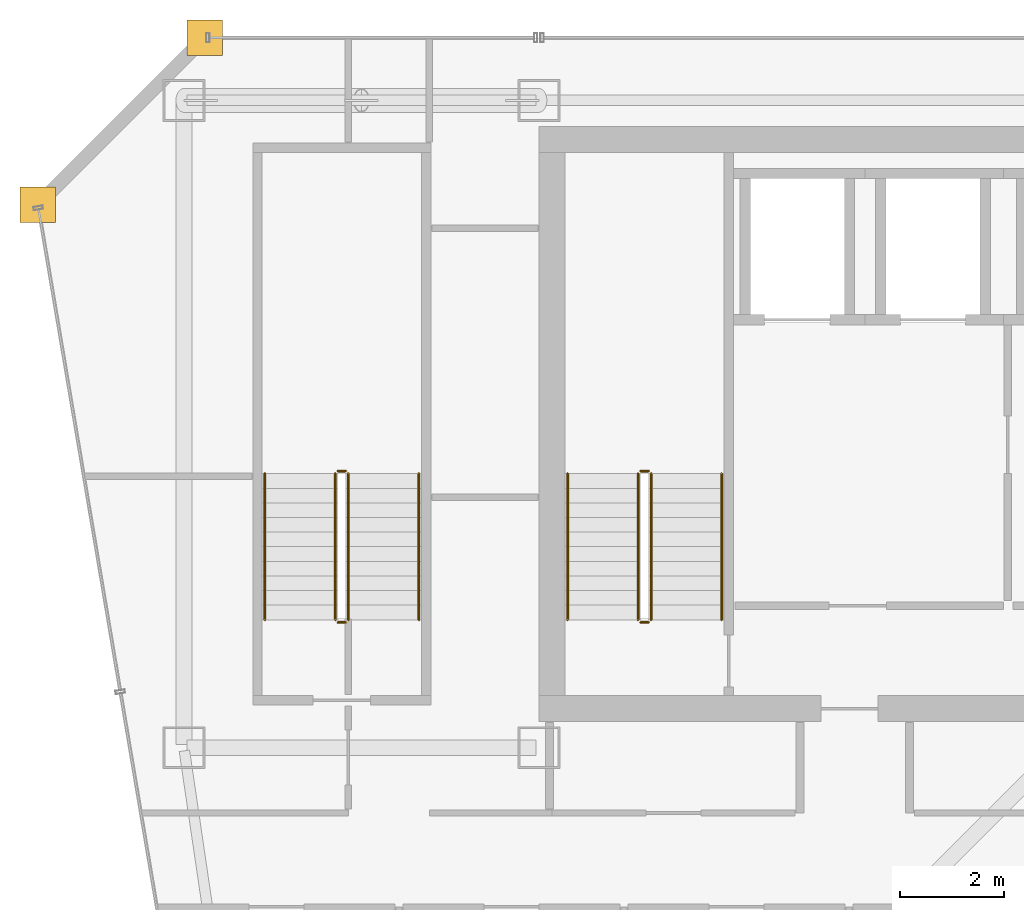
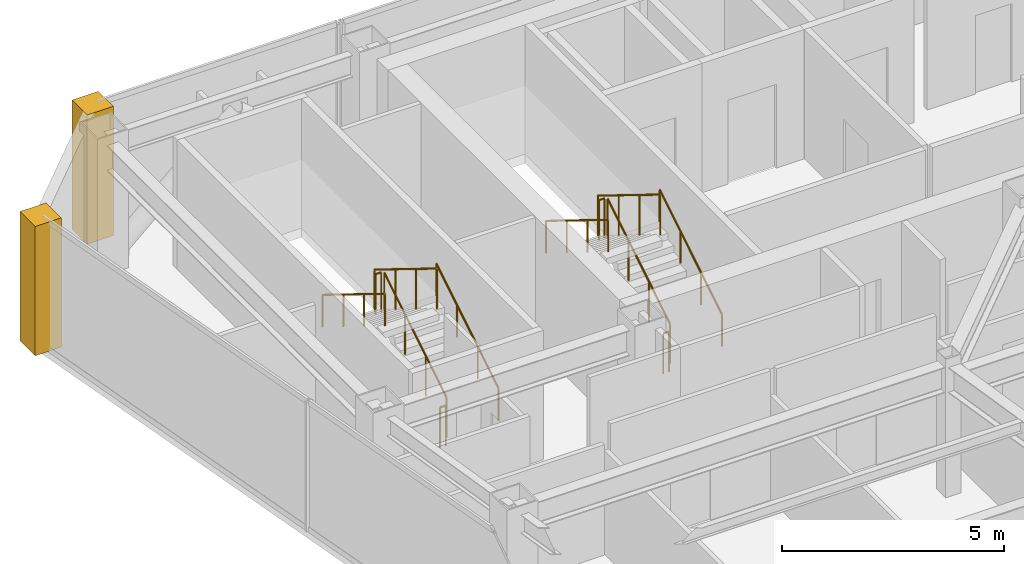
# One storey, part 34 of 35: 12 railings, 2 coverings.
"""IFC4 building model written with IfcOpenShell, lengths in metres."""

import ifcopenshell
import ifcopenshell.guid

model = None  # the IFC model being written
_history = None  # IfcOwnerHistory: only IFC2X3 demands one
_inside = {}  # id of a spatial element -> (the spatial element, [elements in it])
_under = {}  # id of a project, library or spatial element -> (it, [spatial elements below it])
_declared = {}  # id of a project -> (the project, [libraries it declares])
_typed = {}  # id of a type object -> (the type object, [elements of that type])
_made_of = {}  # id of a material, layer set ... -> (it, [elements and type objects made of it])


def new_model(schema):
    """Start an empty IFC model of exactly this schema.

    Asked for "IFC4X3", IfcOpenShell would pick the latest addendum, in which some entities
    have other attributes; the version numbers below select the first issue.
    IFC2X3 requires an IfcOwnerHistory on every rooted entity: one is made here for all.
    """
    global model, _history
    if schema == "IFC4X3":
        model = ifcopenshell.file(schema_version=(4, 3, 0, 0))
    else:
        model = ifcopenshell.file(schema=schema)
    _inside.clear()
    _under.clear()
    _declared.clear()
    _typed.clear()
    _made_of.clear()
    _history = None
    if model.schema == "IFC2X3":
        org = make("IfcOrganization", Name="unknown")
        user = make(
            "IfcPersonAndOrganization",
            ThePerson=make("IfcPerson", FamilyName="unknown"),
            TheOrganization=org,
        )
        app = make(
            "IfcApplication",
            ApplicationDeveloper=org,
            Version="unknown",
            ApplicationFullName="unknown",
            ApplicationIdentifier="unknown",
        )
        _history = make(
            "IfcOwnerHistory",
            OwningUser=user,
            OwningApplication=app,
            ChangeAction="ADDED",
            CreationDate=0,
        )
    return model


def make(cls, **values):
    """One entity of the class cls with the attributes given. An attribute that is None is left unset."""
    return model.create_entity(
        cls, **{name: value for name, value in values.items() if value is not None}
    )


def rooted(cls, **values):
    """An entity with a GlobalId (a new one), such as an element, a storey or a relation."""
    return make(cls, GlobalId=ifcopenshell.guid.new(), OwnerHistory=_history, **values)


def si_unit(unit_type, name, prefix=None):
    """IfcSIUnit, for example si_unit("LENGTHUNIT", "METRE", prefix="MILLI")."""
    return make("IfcSIUnit", UnitType=unit_type, Prefix=prefix, Name=name)


def assignment(units):
    """IfcUnitAssignment: the units of a project."""
    return None if units is None else make("IfcUnitAssignment", Units=units)


def point(xyz):
    """IfcCartesianPoint."""
    return None if xyz is None else make("IfcCartesianPoint", Coordinates=xyz)


def direction(xyz):
    """IfcDirection."""
    return None if xyz is None else make("IfcDirection", DirectionRatios=xyz)


def frame(location, z_axis=None, x_axis=None):
    """IfcAxis2Placement3D, a coordinate frame: its origin and axes. An axis left out is left unset."""
    return make(
        "IfcAxis2Placement3D",
        Location=point(location),
        Axis=direction(z_axis),
        RefDirection=direction(x_axis),
    )


def frame_2d(location, x_axis=None):
    """IfcAxis2Placement2D, a coordinate frame in the plane: its origin and x axis."""
    return make(
        "IfcAxis2Placement2D", Location=point(location), RefDirection=direction(x_axis)
    )


def origin():
    """The frame at (0, 0, 0) with its axes left unset."""
    return frame((0.0, 0.0, 0.0))


def origin_2d():
    """The frame at (0, 0) in the plane with its x axis left unset."""
    return frame_2d((0.0, 0.0))


def place(relative_to, where):
    """IfcLocalPlacement: puts the frame where relative to a parent placement (None: the world)."""
    return make(
        "IfcLocalPlacement", PlacementRelTo=relative_to, RelativePlacement=where
    )


def context(
    kind, dimensions, precision=None, world=None, true_north=None, identifier=None
):
    """IfcGeometricRepresentationContext, for example the 3D "Model" context."""
    return make(
        "IfcGeometricRepresentationContext",
        ContextIdentifier=identifier,
        ContextType=kind,
        CoordinateSpaceDimension=dimensions,
        Precision=precision,
        WorldCoordinateSystem=world,
        TrueNorth=true_north,
    )


def subcontext(parent, identifier, kind, view, scale=None):
    """IfcGeometricRepresentationSubContext, for example "Body" below "Model"."""
    return make(
        "IfcGeometricRepresentationSubContext",
        ContextIdentifier=identifier,
        ContextType=kind,
        ParentContext=parent,
        TargetScale=scale,
        TargetView=view,
    )


def project(units=None, contexts=None):
    """IfcProject with its units and contexts."""
    return rooted(
        "IfcProject",
        Name="project",
        RepresentationContexts=contexts,
        UnitsInContext=assignment(units),
    )


def spatial(cls, under=None, at=None, **own):
    """A site, building, storey or space (cls), placed at a placement, below another one or the project."""
    s = rooted(cls, ObjectPlacement=at, **own)
    if under is not None:
        _under.setdefault(under.id(), (under, []))[1].append(s)
    return s


def polyline(points):
    """IfcPolyline through the points."""
    return make("IfcPolyline", Points=[point(p) for p in points])


def profile(cls, at=None, kind="AREA", **sizes):
    """A parametric profile (cls). Its sizes go by their IFC names, for example OverallWidth=200.0."""
    return make(cls, ProfileType=kind, Position=at, **sizes)


def circle(**sizes):
    """IfcCircleProfileDef."""
    return profile("IfcCircleProfileDef", **sizes)


def outline(outer, holes=None, kind="AREA"):
    """IfcArbitraryClosedProfileDef: a profile drawn as a closed curve; with holes, ...WithVoids."""
    if holes is None:
        return make("IfcArbitraryClosedProfileDef", ProfileType=kind, OuterCurve=outer)
    return make(
        "IfcArbitraryProfileDefWithVoids",
        ProfileType=kind,
        OuterCurve=outer,
        InnerCurves=holes,
    )


def extrude(swept, where, along, depth):
    """IfcExtrudedAreaSolid: the profile swept, set in the frame where, extruded along a direction by depth."""
    return make(
        "IfcExtrudedAreaSolid",
        SweptArea=swept,
        Position=where,
        ExtrudedDirection=direction(along),
        Depth=depth,
    )


def shape(context_of_items, identifier, shape_type, items):
    """IfcShapeRepresentation: the items that make up one representation, for example the "Body"."""
    return make(
        "IfcShapeRepresentation",
        ContextOfItems=context_of_items,
        RepresentationIdentifier=identifier,
        RepresentationType=shape_type,
        Items=items,
    )


def material(Name=None, Category=None):
    """IfcMaterial."""
    return make("IfcMaterial", Name=Name, Category=Category)


def layer(
    of_material, thickness, ventilated=None, Name=None, Category=None, Priority=None
):
    """IfcMaterialLayer: one layer of a wall or slab, of a material (None: an air gap)."""
    return make(
        "IfcMaterialLayer",
        Material=of_material,
        LayerThickness=thickness,
        IsVentilated=ventilated,
        Name=Name,
        Category=Category,
        Priority=Priority,
    )


def layer_set(layers, Name=None):
    """IfcMaterialLayerSet."""
    return make("IfcMaterialLayerSet", MaterialLayers=layers, LayerSetName=Name)


def made_of(thing, what):
    """Note that an element or type object is made of a material, layer set ...; save() writes the relation."""
    if what is not None:
        _made_of.setdefault(what.id(), (what, []))[1].append(thing)
    return thing


def type_object(cls, material=None, **own):
    """A type object (cls), such as IfcWallType, which elements share."""
    return made_of(rooted(cls, **own), material)


def element(
    cls,
    number,
    at=None,
    inside=None,
    cuts=None,
    type_object=None,
    material=None,
    context=None,
    identifier="Body",
    shape_type=None,
    held_by="IfcProductDefinitionShape",
    body=None,
    shapes=None,
    **own,
):
    """One element of the class cls, such as IfcWall. Its Tag is "e" and its number.

    at: its placement. inside: the storey or other place that contains it. cuts: it is an
    opening in that element (IfcRelVoidsElement). A single representation is given by context,
    identifier, shape_type and body (its items); several are given by shapes. held_by: the class
    of the entity that holds the representations. save() writes the other relations.
    """
    e = rooted(cls, Tag="e%d" % number, ObjectPlacement=at, **own)
    if body is not None:
        shapes = [shape(context, identifier, shape_type, body)]
    if shapes is not None:
        e.Representation = make(held_by, Representations=shapes)
    if inside is not None:
        _inside.setdefault(inside.id(), (inside, []))[1].append(e)
    if cuts is not None:
        rooted(
            "IfcRelVoidsElement", RelatingBuildingElement=cuts, RelatedOpeningElement=e
        )
    if type_object is not None:
        _typed.setdefault(type_object.id(), (type_object, []))[1].append(e)
    return made_of(e, material)


def aggregate(whole, parts):
    """IfcRelAggregates: a whole, such as a stair, and the parts it consists of."""
    return rooted("IfcRelAggregates", RelatingObject=whole, RelatedObjects=parts)


def save(model, path):
    """Write the relations noted so far, then the file.

    IfcRelAggregates (storeys below a building ...), IfcRelContainedInSpatialStructure (elements
    in a storey), IfcRelDefinesByType, IfcRelAssociatesMaterial and IfcRelDeclares: one each for
    every whole, place, type object, material and project.
    """
    for whole, parts in _under.values():
        aggregate(whole, parts)
    for where, things in _inside.values():
        rooted(
            "IfcRelContainedInSpatialStructure",
            RelatedElements=things,
            RelatingStructure=where,
        )
    for kind, things in _typed.values():
        rooted("IfcRelDefinesByType", RelatedObjects=things, RelatingType=kind)
    for what, things in _made_of.values():
        rooted("IfcRelAssociatesMaterial", RelatedObjects=things, RelatingMaterial=what)
    for by, libraries in _declared.values():
        rooted("IfcRelDeclares", RelatingContext=by, RelatedDefinitions=libraries)
    model.write(path)


model = new_model("IFC4")

# Units and contexts
model_context = context("Model", 3, precision=1e-05, world=origin(), true_north=direction((0.0, 1.0)))
body_context = subcontext(model_context, "Body", "Model", "MODEL_VIEW")
ifc_project = project(units=[si_unit("LENGTHUNIT", "METRE"), si_unit("AREAUNIT", "SQUARE_METRE"), si_unit("VOLUMEUNIT", "CUBIC_METRE"), si_unit("PLANEANGLEUNIT", "RADIAN"), si_unit("MASSUNIT", "GRAM", prefix="KILO")], contexts=[model_context])

# Site, building, storey
site_placement = place(None, origin())
site = spatial("IfcSite", under=ifc_project, at=site_placement, CompositionType="ELEMENT")
building_placement = place(site_placement, origin())
building = spatial("IfcBuilding", under=site, at=building_placement, Name="Saevonmaru Cultural Tower", CompositionType="ELEMENT")
storey_placement = place(building_placement, frame((0.0, 0.0, 190.39990234375)))
storey = spatial("IfcBuildingStorey", under=building, at=storey_placement, Name="L43", CompositionType="ELEMENT", Elevation=190.39990234375)

# Coverings
ifc_material_1 = material(Name="Satin Bronze Anodised Aluminium", Category="aluminium")
ifc_layer = layer(ifc_material_1, 0.679931640625, Name="Satin Bronze Anodised Aluminium")
ifc_layer_set = layer_set([ifc_layer], Name="Satin Bronze Anodised Aluminium")
covering_type = type_object("IfcCoveringType", Name="CV-CORNER-CLAD", PredefinedType="CLADDING", material=ifc_layer_set)
covering_1_placement = place(storey_placement, origin())
element("IfcCovering", 1, at=covering_1_placement, inside=storey, type_object=covering_type, Name="L43 Tower Bronze Corner Cladding Pier 11", PredefinedType="CLADDING", context=body_context, shape_type="SweptSolid", body=[
    extrude(outline(polyline([(6.860107421875, 55.659912109375), (7.5400390625, 55.659912109375), (7.5400390625, 56.340087890625), (6.860107421875, 56.340087890625), (6.860107421875, 55.659912109375)])), origin(), (0.0, 0.0, 1.0), 3.550048828125),
])
covering_2_placement = place(storey_placement, origin())
element("IfcCovering", 2, at=covering_2_placement, inside=storey, type_object=covering_type, Name="L43 Tower Bronze Corner Cladding Pier 12", PredefinedType="CLADDING", context=body_context, shape_type="SweptSolid", body=[
    extrude(outline(polyline([(3.659912109375, 52.4599609375), (4.340087890625, 52.4599609375), (4.340087890625, 53.139892578125), (3.659912109375, 53.139892578125), (3.659912109375, 52.4599609375)])), origin(), (0.0, 0.0, 1.0), 3.550048828125),
])

# Railings
ifc_material_2 = material(Name="Architectural Painted Steel", Category="steel")
railing_type_1 = type_object("IfcRailingType", Name="RL-STAIR-GUARD", PredefinedType="GUARDRAIL", material=ifc_material_2)
railing_1_placement = place(storey_placement, frame((15.75, 44.85009765625, 0.1728515625)))
element("IfcRailing", 3, at=railing_1_placement, inside=storey, type_object=railing_type_1, Name="L43 ST-1 stair guard 1", PredefinedType="GUARDRAIL", context=body_context, shape_type="SweptSolid", body=[
    extrude(circle(Radius=0.02392578125, at=origin_2d()), frame((0.0, 0.0, 1.09619140625), z_axis=(0.0, 0.851069175582, 0.525053576669), x_axis=(-1.0, 0.0, 0.0)), (0.0, 0.0, 1.0), 3.289794921875),
    extrude(circle(Radius=0.02099609375, at=origin_2d()), origin(), (0.0, 0.0, 1.0), 1.072021484375),
    extrude(circle(Radius=0.02099609375, at=origin_2d()), frame((0.0, 0.933349609375, 0.57568359375)), (0.0, 0.0, 1.0), 1.072021484375),
    extrude(circle(Radius=0.02099609375, at=origin_2d()), frame((0.0, 1.866455078125, 1.151611328125)), (0.0, 0.0, 1.0), 1.072021484375),
    extrude(circle(Radius=0.02099609375, at=origin_2d()), frame((0.0, 2.7998046875, 1.727294921875)), (0.0, 0.0, 1.0), 1.072021484375),
])
railing_2_placement = place(storey_placement, frame((15.699951171875, 47.699951171875, 1.900146484375)))
element("IfcRailing", 4, at=railing_2_placement, inside=storey, type_object=railing_type_1, Name="L43 ST-1 stair guard 2", PredefinedType="GUARDRAIL", context=body_context, shape_type="SweptSolid", body=[
    extrude(circle(Radius=0.02392578125, at=origin_2d()), frame((0.0, 0.0, 1.09619140625), z_axis=(-1.0, 0.0, 0.0), x_axis=(0.0, -1.0, 0.0)), (0.0, 0.0, 1.0), 0.14990234375),
    extrude(circle(Radius=0.02099609375, at=origin_2d()), origin(), (0.0, 0.0, 1.0), 1.072021484375),
    extrude(circle(Radius=0.02099609375, at=origin_2d()), frame((-0.14990234375, 0.0, 0.0)), (0.0, 0.0, 1.0), 1.072021484375),
])
railing_3_placement = place(storey_placement, frame((15.5, 47.64990234375, 2.07275390625)))
element("IfcRailing", 5, at=railing_3_placement, inside=storey, type_object=railing_type_1, Name="L43 ST-1 stair guard 3", PredefinedType="GUARDRAIL", context=body_context, shape_type="SweptSolid", body=[
    extrude(circle(Radius=0.02392578125, at=origin_2d()), frame((0.0, 0.0, 1.09619140625), z_axis=(0.0, -0.851069175582, 0.525053576669), x_axis=(1.0, 0.0, 0.0)), (0.0, 0.0, 1.0), 3.289794921875),
    extrude(circle(Radius=0.02099609375, at=origin_2d()), origin(), (0.0, 0.0, 1.0), 1.072021484375),
    extrude(circle(Radius=0.02099609375, at=origin_2d()), frame((0.0, -0.933349609375, 0.57568359375)), (0.0, 0.0, 1.0), 1.072021484375),
    extrude(circle(Radius=0.02099609375, at=origin_2d()), frame((0.0, -1.866455078125, 1.151611328125)), (0.0, 0.0, 1.0), 1.072021484375),
    extrude(circle(Radius=0.02099609375, at=origin_2d()), frame((0.0, -2.7998046875, 1.727294921875)), (0.0, 0.0, 1.0), 1.072021484375),
])
railing_4_placement = place(storey_placement, frame((15.699951171875, 44.800048828125, 0.0)))
element("IfcRailing", 6, at=railing_4_placement, inside=storey, type_object=railing_type_1, Name="L43 ST-1 stair guard 4", PredefinedType="GUARDRAIL", context=body_context, shape_type="SweptSolid", body=[
    extrude(circle(Radius=0.02392578125, at=origin_2d()), frame((0.0, 0.0, 1.09619140625), z_axis=(-1.0, 0.0, 0.0), x_axis=(0.0, -1.0, 0.0)), (0.0, 0.0, 1.0), 0.14990234375),
    extrude(circle(Radius=0.02099609375, at=origin_2d()), origin(), (0.0, 0.0, 1.0), 1.072021484375),
    extrude(circle(Radius=0.02099609375, at=origin_2d()), frame((-0.14990234375, 0.0, 0.0)), (0.0, 0.0, 1.0), 1.072021484375),
])
railing_5_placement = place(storey_placement, frame((9.949951171875, 44.85009765625, 0.1728515625)))
element("IfcRailing", 7, at=railing_5_placement, inside=storey, type_object=railing_type_1, Name="L43 ST-3 stair guard 1", PredefinedType="GUARDRAIL", context=body_context, shape_type="SweptSolid", body=[
    extrude(circle(Radius=0.02392578125, at=origin_2d()), frame((0.0, 0.0, 1.09619140625), z_axis=(0.0, 0.851069175582, 0.525053576669), x_axis=(-1.0, 0.0, 0.0)), (0.0, 0.0, 1.0), 3.289794921875),
    extrude(circle(Radius=0.02099609375, at=origin_2d()), origin(), (0.0, 0.0, 1.0), 1.072021484375),
    extrude(circle(Radius=0.02099609375, at=origin_2d()), frame((0.0, 0.933349609375, 0.57568359375)), (0.0, 0.0, 1.0), 1.072021484375),
    extrude(circle(Radius=0.02099609375, at=origin_2d()), frame((0.0, 1.866455078125, 1.151611328125)), (0.0, 0.0, 1.0), 1.072021484375),
    extrude(circle(Radius=0.02099609375, at=origin_2d()), frame((0.0, 2.7998046875, 1.727294921875)), (0.0, 0.0, 1.0), 1.072021484375),
])
railing_6_placement = place(storey_placement, frame((9.89990234375, 47.699951171875, 1.900146484375)))
element("IfcRailing", 8, at=railing_6_placement, inside=storey, type_object=railing_type_1, Name="L43 ST-3 stair guard 2", PredefinedType="GUARDRAIL", context=body_context, shape_type="SweptSolid", body=[
    extrude(circle(Radius=0.02392578125, at=origin_2d()), frame((0.0, 0.0, 1.09619140625), z_axis=(-1.0, 0.0, 0.0), x_axis=(0.0, -1.0, 0.0)), (0.0, 0.0, 1.0), 0.14990234375),
    extrude(circle(Radius=0.02099609375, at=origin_2d()), origin(), (0.0, 0.0, 1.0), 1.072021484375),
    extrude(circle(Radius=0.02099609375, at=origin_2d()), frame((-0.14990234375, 0.0, 0.0)), (0.0, 0.0, 1.0), 1.072021484375),
])
railing_7_placement = place(storey_placement, frame((9.699951171875, 47.64990234375, 2.07275390625)))
element("IfcRailing", 9, at=railing_7_placement, inside=storey, type_object=railing_type_1, Name="L43 ST-3 stair guard 3", PredefinedType="GUARDRAIL", context=body_context, shape_type="SweptSolid", body=[
    extrude(circle(Radius=0.02392578125, at=origin_2d()), frame((0.0, 0.0, 1.09619140625), z_axis=(0.0, -0.851069175582, 0.525053576669), x_axis=(1.0, 0.0, 0.0)), (0.0, 0.0, 1.0), 3.289794921875),
    extrude(circle(Radius=0.02099609375, at=origin_2d()), origin(), (0.0, 0.0, 1.0), 1.072021484375),
    extrude(circle(Radius=0.02099609375, at=origin_2d()), frame((0.0, -0.933349609375, 0.57568359375)), (0.0, 0.0, 1.0), 1.072021484375),
    extrude(circle(Radius=0.02099609375, at=origin_2d()), frame((0.0, -1.866455078125, 1.151611328125)), (0.0, 0.0, 1.0), 1.072021484375),
    extrude(circle(Radius=0.02099609375, at=origin_2d()), frame((0.0, -2.7998046875, 1.727294921875)), (0.0, 0.0, 1.0), 1.072021484375),
])
railing_8_placement = place(storey_placement, frame((9.89990234375, 44.800048828125, 0.0)))
element("IfcRailing", 10, at=railing_8_placement, inside=storey, type_object=railing_type_1, Name="L43 ST-3 stair guard 4", PredefinedType="GUARDRAIL", context=body_context, shape_type="SweptSolid", body=[
    extrude(circle(Radius=0.02392578125, at=origin_2d()), frame((0.0, 0.0, 1.09619140625), z_axis=(-1.0, 0.0, 0.0), x_axis=(0.0, -1.0, 0.0)), (0.0, 0.0, 1.0), 0.14990234375),
    extrude(circle(Radius=0.02099609375, at=origin_2d()), origin(), (0.0, 0.0, 1.0), 1.072021484375),
    extrude(circle(Radius=0.02099609375, at=origin_2d()), frame((-0.14990234375, 0.0, 0.0)), (0.0, 0.0, 1.0), 1.072021484375),
])
railing_type_2 = type_object("IfcRailingType", Name="RL-STAIR-HANDRAIL", PredefinedType="HANDRAIL", material=ifc_material_1)
railing_9_placement = place(storey_placement, frame((17.10009765625, 44.85009765625, 0.1728515625)))
element("IfcRailing", 11, at=railing_9_placement, inside=storey, type_object=railing_type_2, Name="L43 ST-1 stair handrail 1", PredefinedType="HANDRAIL", context=body_context, shape_type="SweptSolid", body=[
    extrude(circle(Radius=0.02392578125, at=origin_2d()), frame((0.0, 0.0, 0.8759765625), z_axis=(0.0, 0.851069175582, 0.525053576669), x_axis=(-1.0, 0.0, 0.0)), (0.0, 0.0, 1.0), 3.289794921875),
    extrude(circle(Radius=0.02099609375, at=origin_2d()), origin(), (0.0, 0.0, 1.0), 0.851806640625),
    extrude(circle(Radius=0.02099609375, at=origin_2d()), frame((0.0, 0.933349609375, 0.57568359375)), (0.0, 0.0, 1.0), 0.851806640625),
    extrude(circle(Radius=0.02099609375, at=origin_2d()), frame((0.0, 1.866455078125, 1.151611328125)), (0.0, 0.0, 1.0), 0.851806640625),
    extrude(circle(Radius=0.02099609375, at=origin_2d()), frame((0.0, 2.7998046875, 1.727294921875)), (0.0, 0.0, 1.0), 0.851806640625),
])
railing_10_placement = place(storey_placement, frame((14.14990234375, 47.64990234375, 2.07275390625)))
element("IfcRailing", 12, at=railing_10_placement, inside=storey, type_object=railing_type_2, Name="L43 ST-1 stair handrail 2", PredefinedType="HANDRAIL", context=body_context, shape_type="SweptSolid", body=[
    extrude(circle(Radius=0.02392578125, at=origin_2d()), frame((0.0, 0.0, 0.8759765625), z_axis=(0.0, -0.851069175582, 0.525053576669), x_axis=(1.0, 0.0, 0.0)), (0.0, 0.0, 1.0), 3.289794921875),
    extrude(circle(Radius=0.02099609375, at=origin_2d()), origin(), (0.0, 0.0, 1.0), 0.851806640625),
    extrude(circle(Radius=0.02099609375, at=origin_2d()), frame((0.0, -0.933349609375, 0.57568359375)), (0.0, 0.0, 1.0), 0.851806640625),
    extrude(circle(Radius=0.02099609375, at=origin_2d()), frame((0.0, -1.866455078125, 1.151611328125)), (0.0, 0.0, 1.0), 0.851806640625),
    extrude(circle(Radius=0.02099609375, at=origin_2d()), frame((0.0, -2.7998046875, 1.727294921875)), (0.0, 0.0, 1.0), 0.851806640625),
])
railing_11_placement = place(storey_placement, frame((11.300048828125, 44.85009765625, 0.1728515625)))
element("IfcRailing", 13, at=railing_11_placement, inside=storey, type_object=railing_type_2, Name="L43 ST-3 stair handrail 1", PredefinedType="HANDRAIL", context=body_context, shape_type="SweptSolid", body=[
    extrude(circle(Radius=0.02392578125, at=origin_2d()), frame((0.0, 0.0, 0.8759765625), z_axis=(0.0, 0.851069175582, 0.525053576669), x_axis=(-1.0, 0.0, 0.0)), (0.0, 0.0, 1.0), 3.289794921875),
    extrude(circle(Radius=0.02099609375, at=origin_2d()), origin(), (0.0, 0.0, 1.0), 0.851806640625),
    extrude(circle(Radius=0.02099609375, at=origin_2d()), frame((0.0, 0.933349609375, 0.57568359375)), (0.0, 0.0, 1.0), 0.851806640625),
    extrude(circle(Radius=0.02099609375, at=origin_2d()), frame((0.0, 1.866455078125, 1.151611328125)), (0.0, 0.0, 1.0), 0.851806640625),
    extrude(circle(Radius=0.02099609375, at=origin_2d()), frame((0.0, 2.7998046875, 1.727294921875)), (0.0, 0.0, 1.0), 0.851806640625),
])
railing_12_placement = place(storey_placement, frame((8.35009765625, 47.64990234375, 2.07275390625)))
element("IfcRailing", 14, at=railing_12_placement, inside=storey, type_object=railing_type_2, Name="L43 ST-3 stair handrail 2", PredefinedType="HANDRAIL", context=body_context, shape_type="SweptSolid", body=[
    extrude(circle(Radius=0.02392578125, at=origin_2d()), frame((0.0, 0.0, 0.8759765625), z_axis=(0.0, -0.851069175582, 0.525053576669), x_axis=(1.0, 0.0, 0.0)), (0.0, 0.0, 1.0), 3.289794921875),
    extrude(circle(Radius=0.02099609375, at=origin_2d()), origin(), (0.0, 0.0, 1.0), 0.851806640625),
    extrude(circle(Radius=0.02099609375, at=origin_2d()), frame((0.0, -0.933349609375, 0.57568359375)), (0.0, 0.0, 1.0), 0.851806640625),
    extrude(circle(Radius=0.02099609375, at=origin_2d()), frame((0.0, -1.866455078125, 1.151611328125)), (0.0, 0.0, 1.0), 0.851806640625),
    extrude(circle(Radius=0.02099609375, at=origin_2d()), frame((0.0, -2.7998046875, 1.727294921875)), (0.0, 0.0, 1.0), 0.851806640625),
])

save(model, "model.ifc")
